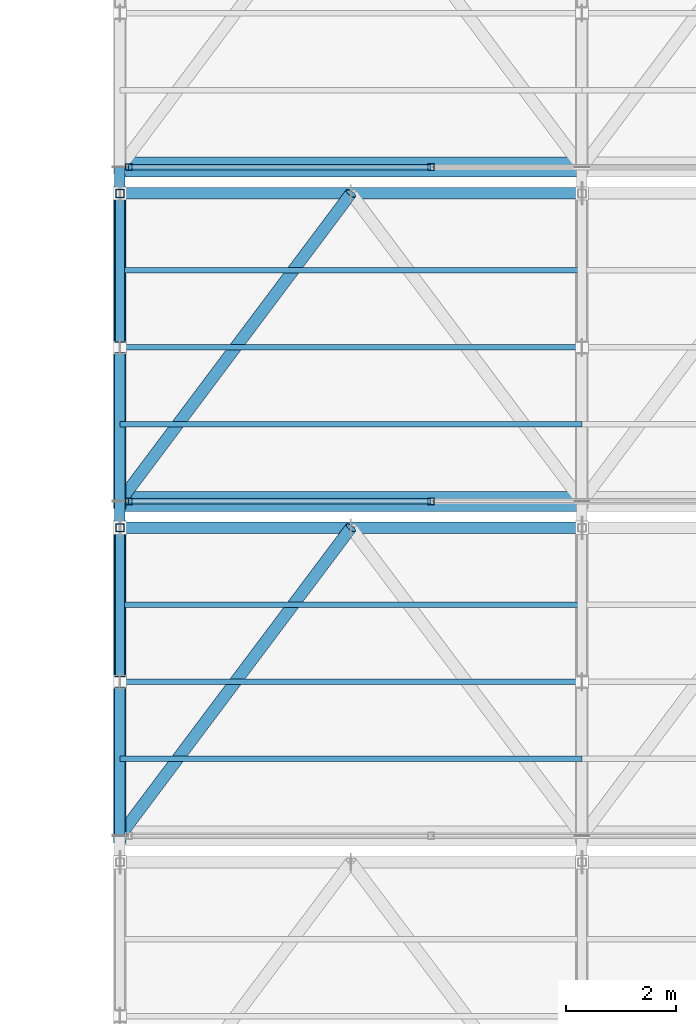
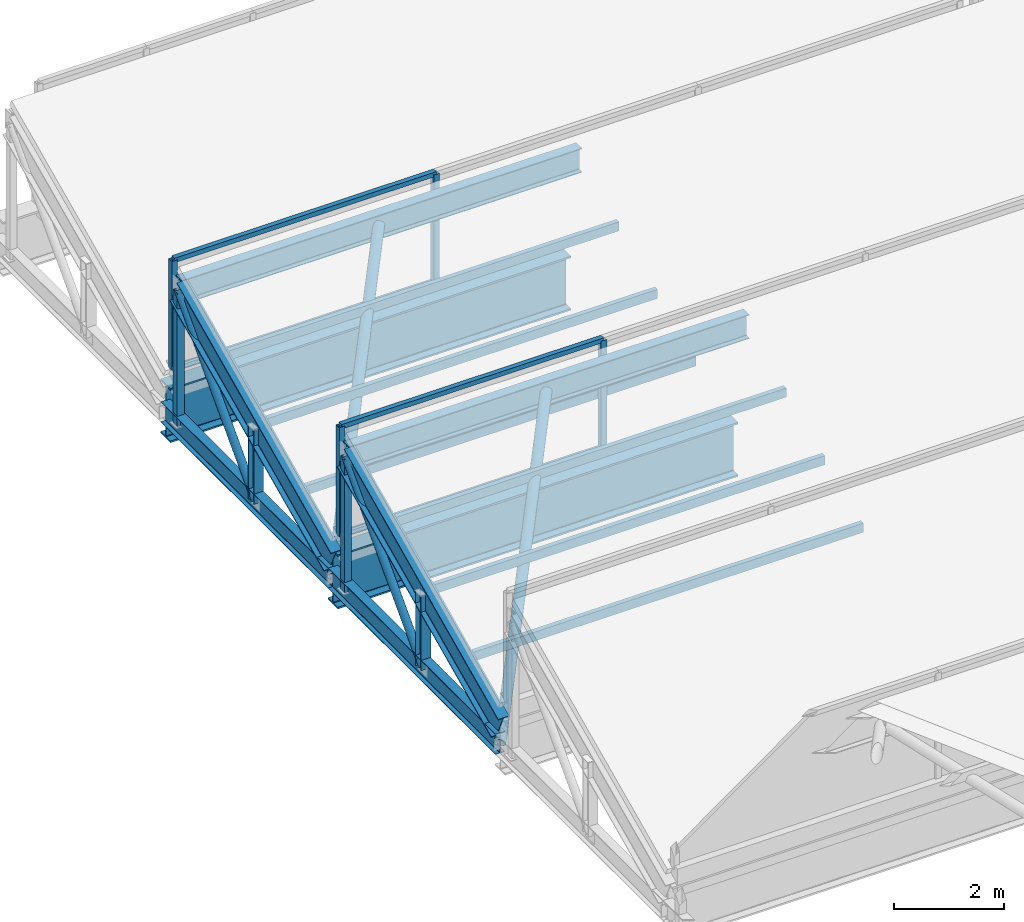
# One storey, part 67 of 217: 28 members, 2 beams, 2 elements without a shape of their own.
"""IFC4 building model written with IfcOpenShell, lengths in metres."""

from ifc_helpers import new_model, si_unit, direction, frame, origin, origin_2d, place, context, subcontext, project, spatial, hollow_rectangle, hollow_circle, i_section, extrude, material, material_profile, profile_set, type_object, element, aggregate, save


model = new_model("IFC4")

# Units and contexts
model_context = context("Model", 3, precision=1e-05, world=origin(), true_north=direction((0.0, 1.0)))
body_context = subcontext(model_context, "Body", "Model", "MODEL_VIEW")
ifc_project = project(units=[si_unit("LENGTHUNIT", "METRE"), si_unit("AREAUNIT", "SQUARE_METRE"), si_unit("VOLUMEUNIT", "CUBIC_METRE"), si_unit("PLANEANGLEUNIT", "RADIAN"), si_unit("MASSUNIT", "GRAM", prefix="KILO")], contexts=[model_context])

# Site, building, storey
site_placement = place(None, origin())
site = spatial("IfcSite", under=ifc_project, at=site_placement, CompositionType="ELEMENT")
building_placement = place(site_placement, origin())
building = spatial("IfcBuilding", under=site, at=building_placement, Name="Zuvorla Pavilion Media Centre", CompositionType="ELEMENT")
storey_placement = place(building_placement, frame((0.0, 0.0, 9.60009765625)))
storey = spatial("IfcBuildingStorey", under=building, at=storey_placement, Name="L02", CompositionType="ELEMENT", Elevation=9.60009765625)

# Beams
ifc_material_1 = material(Name="Steel S355", Category="steel")
ifc_material_profile_1 = material_profile(ifc_material_1, i_section(OverallWidth=0.360107421875, OverallDepth=1.199951171875, WebThickness=0.02001953125, FlangeThickness=0.0380859375, FilletRadius=0.02392578125, at=origin_2d()), Name="PG 1200x360x38")
ifc_profile_set_1 = profile_set([ifc_material_profile_1], Name="Steel S355")
beam_type = type_object("IfcBeamType", Name="BM-PG1200", PredefinedType="BEAM", material=ifc_profile_set_1)
for number, where, z_axis, x_axis, name in (
    (1, (66.800048828125, 107.840087890625, -0.88818359375), (1.0, 0.0, 0.0), (0.0, 1.0, 0.0), "L02 beam B01 1796"),
    (2, (66.800048828125, 113.919921875, -0.88818359375), (1.0, 0.0, 0.0), (0.0, 1.0, 0.0), "L02 beam B01 1802"),
):
    element("IfcBeam", number, at=place(storey_placement, frame(where, z_axis=z_axis, x_axis=x_axis)), inside=storey, type_object=beam_type, Name=name, PredefinedType="BEAM", context=body_context, shape_type="SweptSolid", body=[
        extrude(i_section(OverallWidth=0.360107421875, OverallDepth=1.199951171875, WebThickness=0.02001953125, FlangeThickness=0.0380859375, FilletRadius=0.02392578125, at=origin_2d()), origin(), (0.0, 0.0, 1.0), 8.39990234375),
    ])

# Curtain wall, members
ifc_material_2 = material(Name="Unitised anodised aluminium and solar glass curtain wall", Category="aluminium")
curtain_wall_type = type_object("IfcCurtainWallType", Name="CW-SYS-88", PredefinedType="USERDEFINED", material=ifc_material_2)
curtain_wall_1_placement = place(storey_placement, origin())
curtain_wall_1 = element("IfcCurtainWall", 3, at=curtain_wall_1_placement, inside=storey, type_object=curtain_wall_type, Name="L02 curtain wall CW88 208", ObjectType="CURTAIN WALL", PredefinedType="USERDEFINED")
ifc_material_3 = material(Name="Anodised aluminium 6063-T6", Category="aluminium")
ifc_material_profile_2 = material_profile(ifc_material_3, hollow_rectangle(XDim=0.1201171875, YDim=0.1201171875, WallThickness=0.0048828125, at=origin_2d()), Name="ALU MULL 120x120")
ifc_profile_set_2 = profile_set([ifc_material_profile_2], Name="Anodised aluminium 6063-T6")
member_type_1 = type_object("IfcMemberType", Name="CW-MULL-120", PredefinedType="MULLION", material=ifc_profile_set_2)
member_1_placement = place(storey_placement, frame((66.9599609375, 107.840087890625, 0.0), z_axis=(0.0, 0.0, 1.0), x_axis=(1.0, 0.0, 0.0)))
member_1 = element("IfcMember", 4, at=member_1_placement, type_object=member_type_1, Name="CW88 mullion 1", PredefinedType="MULLION", context=body_context, shape_type="SweptSolid", body=[
    extrude(hollow_rectangle(XDim=0.1201171875, YDim=0.1201171875, WallThickness=0.0048828125, at=origin_2d()), origin(), (0.0, 0.0, 1.0), 2.419921875),
])
member_2_placement = place(storey_placement, frame((72.453369140625, 107.840087890625, 0.0), z_axis=(0.0, 0.0, 1.0), x_axis=(1.0, 0.0, 0.0)))
member_2 = element("IfcMember", 5, at=member_2_placement, type_object=member_type_1, Name="CW88 mullion 2", PredefinedType="MULLION", context=body_context, shape_type="SweptSolid", body=[
    extrude(hollow_rectangle(XDim=0.1201171875, YDim=0.1201171875, WallThickness=0.0048828125, at=origin_2d()), origin(), (0.0, 0.0, 1.0), 2.419921875),
])

curtain_wall_2_placement = place(storey_placement, origin())
curtain_wall_2 = element("IfcCurtainWall", 6, at=curtain_wall_2_placement, inside=storey, type_object=curtain_wall_type, Name="L02 curtain wall CW88 212", ObjectType="CURTAIN WALL", PredefinedType="USERDEFINED")
member_3_placement = place(storey_placement, frame((66.9599609375, 113.919921875, 0.0), z_axis=(0.0, 0.0, 1.0), x_axis=(1.0, 0.0, 0.0)))
member_3 = element("IfcMember", 7, at=member_3_placement, type_object=member_type_1, Name="CW88 mullion 1", PredefinedType="MULLION", context=body_context, shape_type="SweptSolid", body=[
    extrude(hollow_rectangle(XDim=0.1201171875, YDim=0.1201171875, WallThickness=0.0048828125, at=origin_2d()), origin(), (0.0, 0.0, 1.0), 2.419921875),
])
member_4_placement = place(storey_placement, frame((72.453369140625, 113.919921875, 0.0), z_axis=(0.0, 0.0, 1.0), x_axis=(1.0, 0.0, 0.0)))
member_4 = element("IfcMember", 8, at=member_4_placement, type_object=member_type_1, Name="CW88 mullion 2", PredefinedType="MULLION", context=body_context, shape_type="SweptSolid", body=[
    extrude(hollow_rectangle(XDim=0.1201171875, YDim=0.1201171875, WallThickness=0.0048828125, at=origin_2d()), origin(), (0.0, 0.0, 1.0), 2.419921875),
])

# Member
ifc_material_profile_3 = material_profile(ifc_material_3, hollow_rectangle(XDim=0.10009765625, YDim=0.10009765625, WallThickness=0.00439453125, at=origin_2d()), Name="ALU TRAN 100x100")
ifc_profile_set_3 = profile_set([ifc_material_profile_3], Name="Anodised aluminium 6063-T6")
member_type_2 = type_object("IfcMemberType", Name="CW-TRAN-100", PredefinedType="USERDEFINED", material=ifc_profile_set_3)
member_5_placement = place(storey_placement, frame((66.9599609375, 107.840087890625, 0.0), z_axis=(1.0, 0.0, 0.0), x_axis=(0.0, 1.0, 0.0)))
member_5 = element("IfcMember", 9, at=member_5_placement, type_object=member_type_2, Name="CW88 transom 1.1", ObjectType="TRANSOM", PredefinedType="USERDEFINED", context=body_context, shape_type="SweptSolid", body=[
    extrude(hollow_rectangle(XDim=0.10009765625, YDim=0.10009765625, WallThickness=0.00439453125, at=origin_2d()), origin(), (0.0, 0.0, 1.0), 5.493408203125),
])

member_6_placement = place(storey_placement, frame((66.9599609375, 107.840087890625, 2.419921875), z_axis=(1.0, 0.0, 0.0), x_axis=(0.0, 1.0, 0.0)))
member_6 = element("IfcMember", 10, at=member_6_placement, type_object=member_type_2, Name="CW88 transom 1.2", ObjectType="TRANSOM", PredefinedType="USERDEFINED", context=body_context, shape_type="SweptSolid", body=[
    extrude(hollow_rectangle(XDim=0.10009765625, YDim=0.10009765625, WallThickness=0.00439453125, at=origin_2d()), origin(), (0.0, 0.0, 1.0), 5.493408203125),
])

aggregate(curtain_wall_1, [member_1, member_2, member_5, member_6])

member_7_placement = place(storey_placement, frame((66.9599609375, 113.919921875, 0.0), z_axis=(1.0, 0.0, 0.0), x_axis=(0.0, 1.0, 0.0)))
member_7 = element("IfcMember", 11, at=member_7_placement, type_object=member_type_2, Name="CW88 transom 1.1", ObjectType="TRANSOM", PredefinedType="USERDEFINED", context=body_context, shape_type="SweptSolid", body=[
    extrude(hollow_rectangle(XDim=0.10009765625, YDim=0.10009765625, WallThickness=0.00439453125, at=origin_2d()), origin(), (0.0, 0.0, 1.0), 5.493408203125),
])

member_8_placement = place(storey_placement, frame((66.9599609375, 113.919921875, 2.419921875), z_axis=(1.0, 0.0, 0.0), x_axis=(0.0, 1.0, 0.0)))
member_8 = element("IfcMember", 12, at=member_8_placement, type_object=member_type_2, Name="CW88 transom 1.2", ObjectType="TRANSOM", PredefinedType="USERDEFINED", context=body_context, shape_type="SweptSolid", body=[
    extrude(hollow_rectangle(XDim=0.10009765625, YDim=0.10009765625, WallThickness=0.00439453125, at=origin_2d()), origin(), (0.0, 0.0, 1.0), 5.493408203125),
])

aggregate(curtain_wall_2, [member_3, member_4, member_7, member_8])

# Members
ifc_material_profile_4 = material_profile(ifc_material_1, hollow_circle(Radius=0.084228515625, WallThickness=0.008056640625, at=origin_2d()), Name="CHS 168.3x8")
ifc_profile_set_4 = profile_set([ifc_material_profile_4], Name="Steel S355")
member_type_3 = type_object("IfcMemberType", Name="MEM-BRC-CHS168", PredefinedType="BRACE", material=ifc_profile_set_4)
for number, where, z_axis, x_axis, name in (
    (13, (66.800048828125, 104.56005859375, -0.880126953125), (0.0, 0.68676242614, 0.726881950555), (-1.0, 0.0, 0.0), "L02 diagonal brace TB03 222"),
    (14, (66.800048828125, 110.639892578125, -0.880126953125), (0.0, 0.68676242614, 0.726881950555), (-1.0, 0.0, 0.0), "L02 diagonal brace TB03 315"),
):
    element("IfcMember", number, at=place(storey_placement, frame(where, z_axis=z_axis, x_axis=x_axis)), inside=storey, type_object=member_type_3, Name=name, PredefinedType="BRACE", context=body_context, shape_type="SweptSolid", body=[
        extrude(hollow_circle(Radius=0.084228515625, WallThickness=0.008056640625, at=origin_2d()), origin(), (0.0, 0.0, 1.0), 4.0771484375),
    ])
ifc_material_profile_5 = material_profile(ifc_material_1, hollow_circle(Radius=0.109619140625, WallThickness=0.010009765625, at=origin_2d()), Name="CHS 219.1x10")
ifc_profile_set_5 = profile_set([ifc_material_profile_5], Name="Steel S355")
member_type_4 = type_object("IfcMemberType", Name="MEM-BRC-CHS219", PredefinedType="BRACE", material=ifc_profile_set_5)
member_9_placement = place(storey_placement, frame((66.800048828125, 101.760009765625, -0.880126953125), z_axis=(0.552511596944, 0.736703540702, 0.389870271191), x_axis=(-0.800008370399, 0.599988839305, 0.0)))
element("IfcMember", 15, at=member_9_placement, inside=storey, type_object=member_type_4, Name="L02 diagonal brace TB02 265", PredefinedType="BRACE", context=body_context, shape_type="SweptSolid", body=[
    extrude(hollow_circle(Radius=0.109619140625, WallThickness=0.010009765625, at=origin_2d()), origin(), (0.0, 0.0, 1.0), 7.6015625),
])
member_10_placement = place(storey_placement, frame((66.800048828125, 107.840087890625, -0.880126953125), z_axis=(0.552524670006, 0.736688854033, 0.389879495972), x_axis=(-0.799995814625, 0.600005580459, 0.0)))
element("IfcMember", 16, at=member_10_placement, inside=storey, type_object=member_type_4, Name="L02 diagonal brace TB02 358", PredefinedType="BRACE", context=body_context, shape_type="SweptSolid", body=[
    extrude(hollow_circle(Radius=0.109619140625, WallThickness=0.010009765625, at=origin_2d()), origin(), (0.0, 0.0, 1.0), 7.601318359375),
])
ifc_material_profile_6 = material_profile(ifc_material_1, i_section(OverallWidth=0.19140625, OverallDepth=0.4599609375, WebThickness=0.010009765625, FlangeThickness=0.01611328125, FilletRadius=0.01025390625, at=origin_2d()), Name="UB 457x191x82")
ifc_profile_set_6 = profile_set([ifc_material_profile_6], Name="Steel S355")
member_type_5 = type_object("IfcMemberType", Name="MEM-CHD-UB457", PredefinedType="CHORD", material=ifc_profile_set_6)
member_11_placement = place(storey_placement, frame((66.800048828125, 101.760009765625, -0.880126953125), z_axis=(0.0, 1.0, 0.0), x_axis=(-1.0, 0.0, 0.0)))
element("IfcMember", 17, at=member_11_placement, inside=storey, type_object=member_type_5, Name="L02 chord TC03 219", PredefinedType="CHORD", context=body_context, shape_type="SweptSolid", body=[
    extrude(i_section(OverallWidth=0.19140625, OverallDepth=0.4599609375, WebThickness=0.010009765625, FlangeThickness=0.01611328125, FilletRadius=0.01025390625, at=origin_2d()), origin(), (0.0, 0.0, 1.0), 6.080078125),
])
member_12_placement = place(storey_placement, frame((66.800048828125, 107.840087890625, -0.880126953125), z_axis=(0.0, 1.0, 0.0), x_axis=(-1.0, 0.0, 0.0)))
element("IfcMember", 18, at=member_12_placement, inside=storey, type_object=member_type_5, Name="L02 chord TC03 312", PredefinedType="CHORD", context=body_context, shape_type="SweptSolid", body=[
    extrude(i_section(OverallWidth=0.19140625, OverallDepth=0.4599609375, WebThickness=0.010009765625, FlangeThickness=0.01611328125, FilletRadius=0.01025390625, at=origin_2d()), origin(), (0.0, 0.0, 1.0), 6.079833984375),
])
ifc_material_profile_7 = material_profile(ifc_material_1, i_section(OverallWidth=0.2099609375, OverallDepth=0.53662109375, WebThickness=0.0107421875, FlangeThickness=0.017333984375, FilletRadius=0.0126953125, at=origin_2d()), Name="UB 533x210x101")
ifc_profile_set_7 = profile_set([ifc_material_profile_7], Name="Steel S355")
member_type_6 = type_object("IfcMemberType", Name="MEM-CHD-UB533", PredefinedType="CHORD", material=ifc_profile_set_7)
for number, where, z_axis, x_axis, name in (
    (19, (66.800048828125, 107.360107421875, 2.08349609375), (1.0, 0.0, 0.0), (0.0, 1.0, 0.0), "L02 chord TC02 264"),
    (20, (66.800048828125, 113.43994140625, 2.08349609375), (1.0, 0.0, 0.0), (0.0, 1.0, 0.0), "L02 chord TC02 357"),
):
    element("IfcMember", number, at=place(storey_placement, frame(where, z_axis=z_axis, x_axis=x_axis)), inside=storey, type_object=member_type_6, Name=name, PredefinedType="CHORD", context=body_context, shape_type="SweptSolid", body=[
        extrude(i_section(OverallWidth=0.2099609375, OverallDepth=0.53662109375, WebThickness=0.0107421875, FlangeThickness=0.017333984375, FilletRadius=0.0126953125, at=origin_2d()), origin(), (0.0, 0.0, 1.0), 8.39990234375),
    ])
ifc_material_profile_8 = material_profile(ifc_material_1, i_section(OverallWidth=0.22900390625, OverallDepth=0.6123046875, WebThickness=0.011962890625, FlangeThickness=0.01953125, FilletRadius=0.0126953125, at=origin_2d()), Name="UB 610x229x125")
ifc_profile_set_8 = profile_set([ifc_material_profile_8], Name="Steel S355")
member_type_7 = type_object("IfcMemberType", Name="MEM-CHD-UB610", PredefinedType="CHORD", material=ifc_profile_set_8)
member_13_placement = place(storey_placement, frame((66.800048828125, 101.760009765625, -0.5166015625), z_axis=(0.0, 0.907005731366, 0.421118277053), x_axis=(-1.0, 0.0, 0.0)))
element("IfcMember", 21, at=member_13_placement, inside=storey, type_object=member_type_7, Name="L02 chord TC01 220", PredefinedType="CHORD", context=body_context, shape_type="SweptSolid", body=[
    extrude(i_section(OverallWidth=0.22900390625, OverallDepth=0.6123046875, WebThickness=0.011962890625, FlangeThickness=0.01953125, FilletRadius=0.0126953125, at=origin_2d()), origin(), (0.0, 0.0, 1.0), 6.17431640625),
])
member_14_placement = place(storey_placement, frame((66.800048828125, 107.840087890625, -0.5166015625), z_axis=(0.0, 0.906998718654, 0.421133380724), x_axis=(-1.0, 0.0, 0.0)))
element("IfcMember", 22, at=member_14_placement, inside=storey, type_object=member_type_7, Name="L02 chord TC01 313", PredefinedType="CHORD", context=body_context, shape_type="SweptSolid", body=[
    extrude(i_section(OverallWidth=0.22900390625, OverallDepth=0.6123046875, WebThickness=0.011962890625, FlangeThickness=0.01953125, FilletRadius=0.0126953125, at=origin_2d()), origin(), (0.0, 0.0, 1.0), 6.174072265625),
])
ifc_material_profile_9 = material_profile(ifc_material_1, hollow_rectangle(XDim=0.10009765625, YDim=0.199951171875, WallThickness=0.008056640625, at=origin_2d()), Name="RHS 200x100x8")
ifc_profile_set_9 = profile_set([ifc_material_profile_9], Name="Steel S355")
member_type_8 = type_object("IfcMemberType", Name="MEM-PUR-RHS200", PredefinedType="PURLIN", material=ifc_profile_set_9)
for number, where, z_axis, x_axis, name in (
    (23, (66.800048828125, 103.159912109375, 0.133544921875), (1.0, 0.0, 0.0), (0.0, 1.0, 0.0), "L02 purlin PR01 267"),
    (24, (66.800048828125, 104.56005859375, 0.783447265625), (1.0, 0.0, 0.0), (0.0, 1.0, 0.0), "L02 purlin PR01 268"),
    (25, (66.800048828125, 105.9599609375, 1.43359375), (1.0, 0.0, 0.0), (0.0, 1.0, 0.0), "L02 purlin PR01 269"),
    (26, (66.800048828125, 109.239990234375, 0.133544921875), (1.0, 0.0, 0.0), (0.0, 1.0, 0.0), "L02 purlin PR01 360"),
    (27, (66.800048828125, 110.639892578125, 0.783447265625), (1.0, 0.0, 0.0), (0.0, 1.0, 0.0), "L02 purlin PR01 361"),
    (28, (66.800048828125, 112.0400390625, 1.43359375), (1.0, 0.0, 0.0), (0.0, 1.0, 0.0), "L02 purlin PR01 362"),
):
    element("IfcMember", number, at=place(storey_placement, frame(where, z_axis=z_axis, x_axis=x_axis)), inside=storey, type_object=member_type_8, Name=name, PredefinedType="PURLIN", context=body_context, shape_type="SweptSolid", body=[
        extrude(hollow_rectangle(XDim=0.10009765625, YDim=0.199951171875, WallThickness=0.008056640625, at=origin_2d()), origin(), (0.0, 0.0, 1.0), 8.39990234375),
    ])
ifc_material_profile_10 = material_profile(ifc_material_1, hollow_rectangle(XDim=0.14990234375, YDim=0.14990234375, WallThickness=0.008056640625, at=origin_2d()), Name="SHS 150x150x8")
ifc_profile_set_10 = profile_set([ifc_material_profile_10], Name="Steel S355")
member_type_9 = type_object("IfcMemberType", Name="MEM-STR-SHS150", PredefinedType="STRUT", material=ifc_profile_set_10)
for number, where, z_axis, x_axis, name in (
    (29, (66.800048828125, 107.360107421875, -0.880126953125), (0.0, 0.0, 1.0), (1.0, 0.0, 0.0), "L02 vertical strut TS01 221"),
    (30, (66.800048828125, 113.43994140625, -0.880126953125), (0.0, 0.0, 1.0), (1.0, 0.0, 0.0), "L02 vertical strut TS01 314"),
):
    element("IfcMember", number, at=place(storey_placement, frame(where, z_axis=z_axis, x_axis=x_axis)), inside=storey, type_object=member_type_9, Name=name, PredefinedType="STRUT", context=body_context, shape_type="SweptSolid", body=[
        extrude(hollow_rectangle(XDim=0.14990234375, YDim=0.14990234375, WallThickness=0.008056640625, at=origin_2d()), origin(), (0.0, 0.0, 1.0), 2.963623046875),
    ])
ifc_material_profile_11 = material_profile(ifc_material_1, i_section(OverallWidth=0.205810546875, OverallDepth=0.209716796875, WebThickness=0.009521484375, FlangeThickness=0.01416015625, FilletRadius=0.01025390625, at=origin_2d()), Name="UC 203x203x60")
ifc_profile_set_11 = profile_set([ifc_material_profile_11], Name="Steel S355")
member_type_10 = type_object("IfcMemberType", Name="MEM-STR-UC203", PredefinedType="STRUT", material=ifc_profile_set_11)
for number, where, z_axis, x_axis, name in (
    (31, (66.800048828125, 104.56005859375, -0.880126953125), (0.0, 0.0, 1.0), (1.0, 0.0, 0.0), "L02 vertical strut TS02 223"),
    (32, (66.800048828125, 110.639892578125, -0.880126953125), (0.0, 0.0, 1.0), (1.0, 0.0, 0.0), "L02 vertical strut TS02 316"),
):
    element("IfcMember", number, at=place(storey_placement, frame(where, z_axis=z_axis, x_axis=x_axis)), inside=storey, type_object=member_type_10, Name=name, PredefinedType="STRUT", context=body_context, shape_type="SweptSolid", body=[
        extrude(i_section(OverallWidth=0.205810546875, OverallDepth=0.209716796875, WebThickness=0.009521484375, FlangeThickness=0.01416015625, FilletRadius=0.01025390625, at=origin_2d()), origin(), (0.0, 0.0, 1.0), 1.66357421875),
    ])

save(model, "model.ifc")
